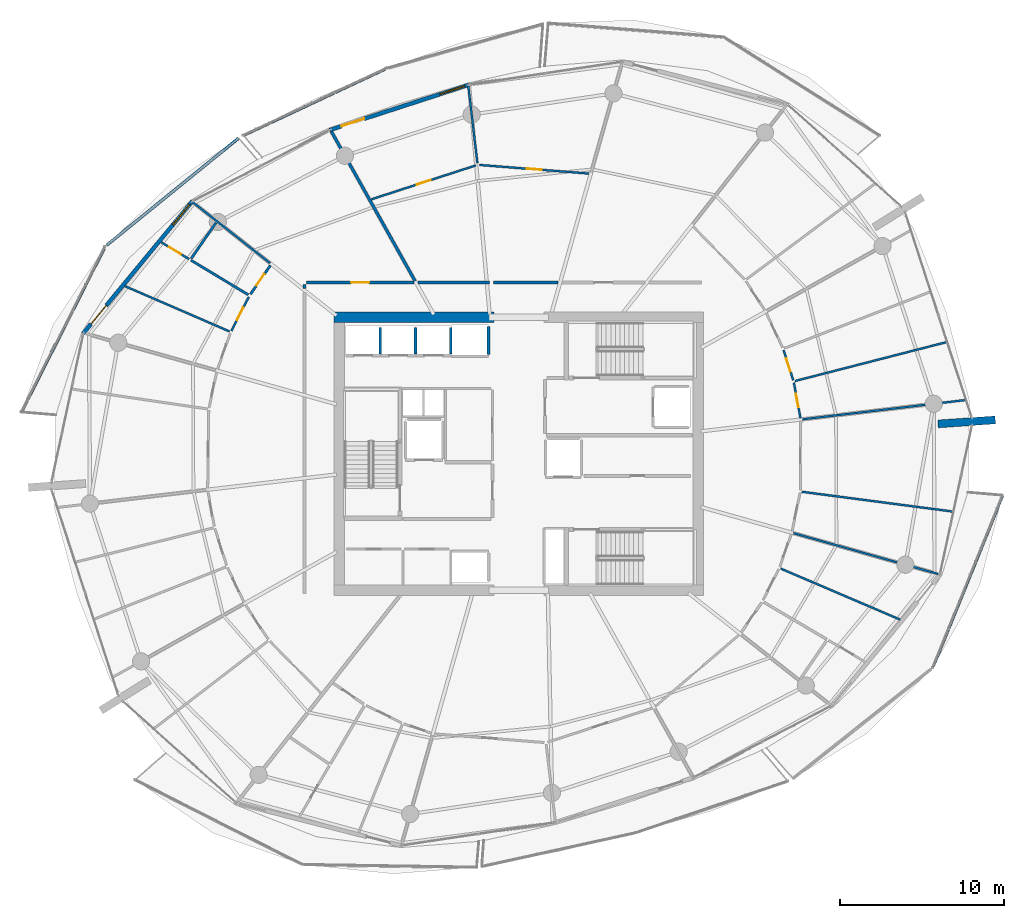
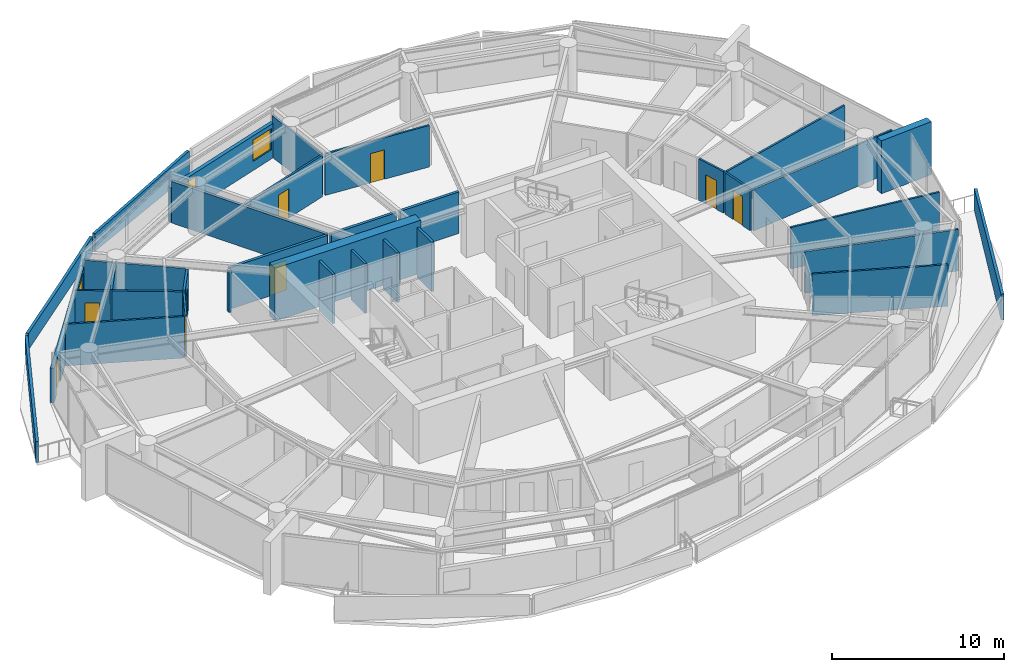
# One storey, part 14 of 20: 34 walls, 10 doors, 2 windows, 12 openings.
"""IFC4 building model written with IfcOpenShell, lengths in metres."""

from ifc_helpers import new_model, si_unit, direction, frame, frame_2d, origin, place, context, subcontext, project, spatial, polyline, rectangle, outline, extrude, material, layer, layer_set, type_object, element, fill, save


model = new_model("IFC4")

# Units and contexts
model_context = context("Model", 3, precision=1e-05, world=origin(), true_north=direction((0.0, 1.0)))
body_context = subcontext(model_context, "Body", "Model", "MODEL_VIEW")
ifc_project = project(units=[si_unit("LENGTHUNIT", "METRE"), si_unit("AREAUNIT", "SQUARE_METRE"), si_unit("VOLUMEUNIT", "CUBIC_METRE"), si_unit("PLANEANGLEUNIT", "RADIAN"), si_unit("MASSUNIT", "GRAM", prefix="KILO")], contexts=[model_context])

# Site, building, storey
site_placement = place(None, origin())
site = spatial("IfcSite", under=ifc_project, at=site_placement, CompositionType="ELEMENT")
building_placement = place(site_placement, origin())
building = spatial("IfcBuilding", under=site, at=building_placement, Name="Kazma Halo Residences", CompositionType="ELEMENT")
storey_placement = place(building_placement, frame((0.0, 0.0, 217.800048828125)))
storey = spatial("IfcBuildingStorey", under=building, at=storey_placement, Name="L55", CompositionType="ELEMENT", Elevation=217.800048828125)

# Walls
ifc_material_1 = material(Name="White Concrete C50/60 Balustrade", Category="concrete")
ifc_layer_1 = layer(ifc_material_1, 0.179931640625)
ifc_layer_set_1 = layer_set([ifc_layer_1], Name="White Concrete C50/60 Balustrade")
wall_type_1 = type_object("IfcWallType", Name="WL-BAL-WAVE-180", PredefinedType="PARAPET", material=ifc_layer_set_1)
wall_1_placement = place(storey_placement, frame((40.248291015625, 65.472412109375, 0.0), z_axis=(0.0, 0.0, 1.0), x_axis=(-0.905654672332, -0.42401605451, 0.0)))
element("IfcWall", 1, at=wall_1_placement, inside=storey, type_object=wall_type_1, Name="L55 white wave balustrade wall NNW.2", PredefinedType="PARAPET", context=body_context, shape_type="SweptSolid", body=[
    extrude(outline(polyline([(0.0, 0.0), (9.537353515625, 0.0), (9.537109375, 1.23291015625), (4.7685546875, 1.41796875), (0.0, 1.6318359375), (0.0, 0.0)])), frame((0.0, 0.08984375, 0.0), z_axis=(0.0, -1.0, 0.0), x_axis=(1.0, 0.0, 0.0)), (0.0, 0.0, 1.0), 0.179931640625),
])
wall_2_placement = place(storey_placement, frame((31.336669921875, 61.2705078125, 0.0), z_axis=(0.0, 0.0, 1.0), x_axis=(-0.776456761235, -0.630170530834, 0.0)))
element("IfcWall", 2, at=wall_2_placement, inside=storey, type_object=wall_type_1, Name="L55 white wave balustrade wall NW.1", PredefinedType="PARAPET", context=body_context, shape_type="SweptSolid", body=[
    extrude(outline(polyline([(0.0, 0.0), (10.38916015625, 0.0), (10.38916015625, 1.14794921875), (5.194580078125, 1.126953125), (0.0, 1.223876953125), (0.0, 0.0)])), frame((0.0, 0.08984375, 0.0), z_axis=(0.0, -1.0, 0.0), x_axis=(1.0, 0.0, 0.0)), (0.0, 0.0, 1.0), 0.179931640625),
])
wall_3_placement = place(storey_placement, frame((23.12255859375, 54.541015625, 0.0), z_axis=(0.0, 0.0, 1.0), x_axis=(-0.451373731974, -0.892335001042, 0.0)))
element("IfcWall", 3, at=wall_3_placement, inside=storey, type_object=wall_type_1, Name="L55 white wave balustrade wall NW.2", PredefinedType="PARAPET", context=body_context, shape_type="SweptSolid", body=[
    extrude(outline(polyline([(0.0, 0.0), (11.207763671875, 0.0), (11.20751953125, 1.48291015625), (5.603759765625, 1.283935546875), (0.0, 1.14794921875), (0.0, 0.0)])), frame((0.0, 0.08984375, 0.0), z_axis=(0.0, -1.0, 0.0), x_axis=(1.0, 0.0, 0.0)), (0.0, 0.0, 1.0), 0.179931640625),
])
wall_4_placement = place(storey_placement, frame((73.724609375, 29.02685546875, 0.0), z_axis=(0.0, 0.0, 1.0), x_axis=(0.375821400088, 0.926692114586, 0.0)))
element("IfcWall", 4, at=wall_4_placement, inside=storey, type_object=wall_type_1, Name="L55 white wave balustrade wall SE.2", PredefinedType="PARAPET", context=body_context, shape_type="SweptSolid", body=[
    extrude(outline(polyline([(0.0, 0.0), (11.256591796875, 0.0), (11.256591796875, 1.4970703125), (5.62841796875, 1.696044921875), (0.0, 1.83203125), (0.0, 0.0)])), frame((0.0, 0.08984375, 0.0), z_axis=(0.0, -1.0, 0.0), x_axis=(1.0, 0.0, 0.0)), (0.0, 0.0, 1.0), 0.179931640625),
])
ifc_material_2 = material(Name="Pale Concrete C60/75", Category="concrete")
ifc_layer_2 = layer(ifc_material_2, 0.47998046875)
ifc_layer_set_2 = layer_set([ifc_layer_2], Name="Pale Concrete C60/75")
wall_type_2 = type_object("IfcWallType", Name="WL-BLADE-480", PredefinedType="SOLIDWALL", material=ifc_layer_set_2)
wall_5_placement = place(storey_placement, frame((74.0126953125, 43.819091796875, 0.0), z_axis=(0.0, 0.0, 1.0), x_axis=(0.997568676264, 0.069690287244, 0.0)))
element("IfcWall", 5, at=wall_5_placement, inside=storey, type_object=wall_type_2, Name="L55 pale concrete structural blade fin wall BW-04", PredefinedType="SOLIDWALL", context=body_context, shape_type="SweptSolid", body=[
    extrude(rectangle(XDim=3.499755859375, YDim=0.47998046875, at=frame_2d((1.75, 0.0))), origin(), (0.0, 0.0, 1.0), 3.75),
])
ifc_material_3 = material(Name="Concrete C60/75", Category="concrete")
ifc_layer_3 = layer(ifc_material_3, 0.64990234375)
ifc_layer_set_3 = layer_set([ifc_layer_3], Name="Concrete C60/75")
wall_type_3 = type_object("IfcWallType", Name="WL-CORE-650", PredefinedType="SHEAR", material=ifc_layer_set_3)
wall_6_placement = place(storey_placement, frame((37.14990234375, 50.324951171875, 0.0), z_axis=(0.0, 0.0, 1.0), x_axis=(1.0, 0.0, 0.0)))
element("IfcWall", 6, at=wall_6_placement, inside=storey, type_object=wall_type_3, Name="L55 central core shear wall NW", PredefinedType="SHEAR", context=body_context, shape_type="SweptSolid", body=[
    extrude(rectangle(XDim=9.75, YDim=0.64990234375, at=frame_2d((4.875, 0.0))), origin(), (0.0, 0.0, 1.0), 3.75),
])
ifc_material_4 = material(Name="Acoustic Twin-Stud Gypsum")
ifc_layer_4 = layer(ifc_material_4, 0.179931640625)
ifc_layer_set_4 = layer_set([ifc_layer_4], Name="Acoustic Twin-Stud Gypsum")
wall_type_4 = type_object("IfcWallType", Name="WL-DEM-180", PredefinedType="PARTITIONING", material=ifc_layer_set_4)
wall_7_placement = place(storey_placement, frame((42.093994140625, 52.5458984375, 0.0), z_axis=(0.0, 0.0, 1.0), x_axis=(-0.488614041717, 0.872500039104, 0.0)))
element("IfcWall", 7, at=wall_7_placement, inside=storey, type_object=wall_type_4, Name="L55 apartment demising radial wall 04", PredefinedType="PARTITIONING", context=body_context, shape_type="SweptSolid", body=[
    extrude(rectangle(XDim=10.448486328125, YDim=0.179931640625, at=frame_2d((5.22412109375, 0.0))), origin(), (0.0, 0.0, 1.0), 2.93994140625),
])

# Wall, opening, door
wall_8_placement = place(storey_placement, frame((42.027587890625, 52.449951171875, 0.0), z_axis=(0.0, 0.0, 1.0), x_axis=(-1.0, 0.0, 0.0)))
wall_8 = element("IfcWall", 8, at=wall_8_placement, inside=storey, type_object=wall_type_4, Name="L55 Apartment 1 entrance corridor wall", PredefinedType="PARTITIONING", context=body_context, shape_type="SweptSolid", body=[
    extrude(rectangle(XDim=6.5576171875, YDim=0.179931640625, at=frame_2d((3.27880859375, 0.0))), origin(), (0.0, 0.0, 1.0), 2.93994140625),
])
opening_1_placement = place(wall_8_placement, frame((2.72900390625, 0.0, 0.0)))
opening_1 = element("IfcOpeningElement", 9, at=opening_1_placement, cuts=wall_8, Name="Opening DA-1100", PredefinedType="OPENING", context=body_context, shape_type="SweptSolid", body=[
    extrude(rectangle(XDim=1.10009765625, YDim=2.10009765625, at=frame_2d((0.550048828125, 1.050048828125))), frame((0.0, 0.099853515625, 0.0), z_axis=(0.0, -1.0, 0.0), x_axis=(1.0, 0.0, 0.0)), (0.0, 0.0, 1.0), 0.199951171875),
])
ifc_material_5 = material(Name="Acoustic Walnut Fire Leaf")
door_type_1 = type_object("IfcDoorType", Name="DR-FD60-1100", OperationType="NOTDEFINED", PredefinedType="DOOR", material=ifc_material_5)
door_1_placement = place(opening_1_placement, origin())
door_1 = element("IfcDoor", 10, at=door_1_placement, inside=storey, type_object=door_type_1, Name="L55 Apartment 1 entrance fire door", OperationType="SINGLE_SWING_LEFT", OverallHeight=2.10009765625, OverallWidth=1.10009765625, PredefinedType="DOOR", context=body_context, shape_type="SweptSolid", body=[
    extrude(rectangle(XDim=1.10009765625, YDim=2.10009765625, at=frame_2d((0.550048828125, 1.050048828125))), frame((0.0, 0.02490234375, 0.0), z_axis=(0.0, -1.0, 0.0), x_axis=(1.0, 0.0, 0.0)), (0.0, 0.0, 1.0), 0.050048828125),
])
fill(opening_1, door_1)

# Walls
wall_9_placement = place(storey_placement, frame((35.35009765625, 52.330078125, 0.0), z_axis=(0.0, 0.0, 1.0), x_axis=(0.0, -1.0, 0.0)))
element("IfcWall", 11, at=wall_9_placement, inside=storey, type_object=wall_type_4, Name="L55 Apartment 1 entrance corridor wall", PredefinedType="PARTITIONING", context=body_context, shape_type="SweptSolid", body=[
    extrude(rectangle(XDim=0.237548828125, YDim=0.179931640625, at=frame_2d((0.11865234375, 0.0))), origin(), (0.0, 0.0, 1.0), 2.93994140625),
])
wall_10_placement = place(storey_placement, frame((50.8271484375, 52.449951171875, 0.0), z_axis=(0.0, 0.0, 1.0), x_axis=(-1.0, 0.0, 0.0)))
element("IfcWall", 12, at=wall_10_placement, inside=storey, type_object=wall_type_4, Name="L55 Apartment 2 inner wall 2", PredefinedType="PARTITIONING", context=body_context, shape_type="SweptSolid", body=[
    extrude(rectangle(XDim=3.94384765625, YDim=0.179931640625, at=frame_2d((1.971923828125, 0.0))), origin(), (0.0, 0.0, 1.0), 2.93994140625),
])
wall_11_placement = place(storey_placement, frame((46.643310546875, 52.449951171875, 0.0), z_axis=(0.0, 0.0, 1.0), x_axis=(-1.0, 0.0, 0.0)))
element("IfcWall", 13, at=wall_11_placement, inside=storey, type_object=wall_type_4, Name="L55 Apartment 2 inner wall 3", PredefinedType="PARTITIONING", context=body_context, shape_type="SweptSolid", body=[
    extrude(rectangle(XDim=4.375732421875, YDim=0.179931640625, at=frame_2d((2.18798828125, 0.0))), origin(), (0.0, 0.0, 1.0), 2.93994140625),
])

# Wall, openings, door, window
ifc_material_6 = material(Name="Insulated Pale-Metal Composite Wall")
ifc_layer_5 = layer(ifc_material_6, 0.239990234375)
ifc_layer_set_5 = layer_set([ifc_layer_5], Name="Insulated Pale-Metal Composite Wall")
wall_type_5 = type_object("IfcWallType", Name="WL-EXT-HOST-240", PredefinedType="SOLIDWALL", material=ifc_layer_set_5)
wall_12_placement = place(storey_placement, frame((45.38427734375, 64.518798828125, 0.0), z_axis=(0.0, 0.0, 1.0), x_axis=(-0.951058543936, -0.309010753869, 0.0)))
wall_12 = element("IfcWall", 14, at=wall_12_placement, inside=storey, type_object=wall_type_5, Name="L55 exterior terrace-access wall B04", PredefinedType="SOLIDWALL", context=body_context, shape_type="SweptSolid", body=[
    extrude(rectangle(XDim=8.942138671875, YDim=0.239990234375, at=frame_2d((4.47119140625, 0.0))), origin(), (0.0, 0.0, 1.0), 2.449951171875),
])
opening_2_placement = place(wall_12_placement, frame((6.721923828125, 0.0, 0.0)))
opening_2 = element("IfcOpeningElement", 15, at=opening_2_placement, cuts=wall_12, Name="Opening DTR-1600", PredefinedType="OPENING", context=body_context, shape_type="SweptSolid", body=[
    extrude(rectangle(XDim=1.449951171875, YDim=2.14990234375, at=frame_2d((0.72509765625, 1.074951171875))), frame((0.0, 0.1298828125, 0.0), z_axis=(0.0, -1.0, 0.0), x_axis=(1.0, 0.0, 0.0)), (0.0, 0.0, 1.0), 0.260009765625),
])
opening_3_placement = place(wall_12_placement, frame((0.280029296875, 0.0, 0.64990234375)))
opening_3 = element("IfcOpeningElement", 16, at=opening_3_placement, cuts=wall_12, Name="Opening W-1800", PredefinedType="OPENING", context=body_context, shape_type="SweptSolid", body=[
    extrude(rectangle(XDim=1.60009765625, YDim=1.5, at=frame_2d((0.800048828125, 0.75))), frame((0.0, 0.1298828125, 0.0), z_axis=(0.0, -1.0, 0.0), x_axis=(1.0, 0.0, 0.0)), (0.0, 0.0, 1.0), 0.260009765625),
])
ifc_material_7 = material(Name="Aluminium AW-6063 T6 Double-Glazed Terrace Door", Category="aluminium")
door_type_2 = type_object("IfcDoorType", Name="DR-EXT-TERR-1600", OperationType="NOTDEFINED", PredefinedType="DOOR", material=ifc_material_7)
door_2_placement = place(opening_2_placement, origin())
door_2 = element("IfcDoor", 17, at=door_2_placement, inside=storey, type_object=door_type_2, Name="L55 B04 balcony terrace door", OperationType="DOUBLE_DOOR_SLIDING", OverallHeight=2.14990234375, OverallWidth=1.449951171875, PredefinedType="DOOR", context=body_context, shape_type="SweptSolid", body=[
    extrude(rectangle(XDim=1.449951171875, YDim=2.14990234375, at=frame_2d((0.72509765625, 1.074951171875))), frame((0.0, 0.02490234375, 0.0), z_axis=(0.0, -1.0, 0.0), x_axis=(1.0, 0.0, 0.0)), (0.0, 0.0, 1.0), 0.050048828125),
])
fill(opening_2, door_2)
ifc_material_8 = material(Name="Clear Triple-Silver Low-E Glass in Aluminium AW-6063 T6 Frame", Category="aluminium")
window_type = type_object("IfcWindowType", Name="WIN-RES-1800", PartitioningType="DOUBLE_PANEL_VERTICAL", PredefinedType="WINDOW", material=ifc_material_8)
window_1_placement = place(opening_3_placement, origin())
window_1 = element("IfcWindow", 18, at=window_1_placement, inside=storey, type_object=window_type, Name="L55 B04 apartment window", OverallHeight=1.5, OverallWidth=1.60009765625, PartitioningType="SINGLE_PANEL", PredefinedType="WINDOW", context=body_context, shape_type="SweptSolid", body=[
    extrude(rectangle(XDim=1.60009765625, YDim=1.5, at=frame_2d((0.800048828125, 0.75))), frame((0.0, 0.030029296875, 0.0), z_axis=(0.0, -1.0, 0.0), x_axis=(1.0, 0.0, 0.0)), (0.0, 0.0, 1.0), 0.06005859375),
])
fill(opening_3, window_1)

wall_13_placement = place(storey_placement, frame((28.514892578125, 57.42431640625, 0.0), z_axis=(0.0, 0.0, 1.0), x_axis=(-0.636759394418, -0.771062561418, 0.0)))
wall_13 = element("IfcWall", 19, at=wall_13_placement, inside=storey, type_object=wall_type_5, Name="L55 exterior terrace-access wall B06", PredefinedType="SOLIDWALL", context=body_context, shape_type="SweptSolid", body=[
    extrude(rectangle(XDim=10.494384765625, YDim=0.239990234375, at=frame_2d((5.2470703125, 0.0))), origin(), (0.0, 0.0, 1.0), 2.449951171875),
])
opening_4_placement = place(wall_13_placement, frame((8.2744140625, 0.0, 0.0)))
opening_4 = element("IfcOpeningElement", 20, at=opening_4_placement, cuts=wall_13, Name="Opening DTR-1600", PredefinedType="OPENING", context=body_context, shape_type="SweptSolid", body=[
    extrude(rectangle(XDim=1.449951171875, YDim=2.14990234375, at=frame_2d((0.72509765625, 1.074951171875))), frame((0.0, 0.1298828125, 0.0), z_axis=(0.0, -1.0, 0.0), x_axis=(1.0, 0.0, 0.0)), (0.0, 0.0, 1.0), 0.260009765625),
])
opening_5_placement = place(wall_13_placement, frame((0.280029296875, 0.0, 0.64990234375)))
opening_5 = element("IfcOpeningElement", 21, at=opening_5_placement, cuts=wall_13, Name="Opening W-1800", PredefinedType="OPENING", context=body_context, shape_type="SweptSolid", body=[
    extrude(rectangle(XDim=1.60009765625, YDim=1.5, at=frame_2d((0.800048828125, 0.75))), frame((0.0, 0.1298828125, 0.0), z_axis=(0.0, -1.0, 0.0), x_axis=(1.0, 0.0, 0.0)), (0.0, 0.0, 1.0), 0.260009765625),
])
door_3_placement = place(opening_4_placement, origin())
door_3 = element("IfcDoor", 22, at=door_3_placement, inside=storey, type_object=door_type_2, Name="L55 B06 balcony terrace door", OperationType="DOUBLE_DOOR_SLIDING", OverallHeight=2.14990234375, OverallWidth=1.449951171875, PredefinedType="DOOR", context=body_context, shape_type="SweptSolid", body=[
    extrude(rectangle(XDim=1.449951171875, YDim=2.14990234375, at=frame_2d((0.72509765625, 1.074951171875))), frame((0.0, 0.02490234375, 0.0), z_axis=(0.0, -1.0, 0.0), x_axis=(1.0, 0.0, 0.0)), (0.0, 0.0, 1.0), 0.050048828125),
])
fill(opening_4, door_3)
window_2_placement = place(opening_5_placement, origin())
window_2 = element("IfcWindow", 23, at=window_2_placement, inside=storey, type_object=window_type, Name="L55 B06 apartment window", OverallHeight=1.5, OverallWidth=1.60009765625, PartitioningType="SINGLE_PANEL", PredefinedType="WINDOW", context=body_context, shape_type="SweptSolid", body=[
    extrude(rectangle(XDim=1.60009765625, YDim=1.5, at=frame_2d((0.800048828125, 0.75))), frame((0.0, 0.030029296875, 0.0), z_axis=(0.0, -1.0, 0.0), x_axis=(1.0, 0.0, 0.0)), (0.0, 0.0, 1.0), 0.06005859375),
])
fill(opening_5, window_2)

# Walls
ifc_material_9 = material(Name="Fire-Rated Blockwork Masonry", Category="masonry")
ifc_layer_6 = layer(ifc_material_9, 0.199951171875)
ifc_layer_set_6 = layer_set([ifc_layer_6], Name="Fire-Rated Blockwork Masonry")
wall_type_6 = type_object("IfcWallType", Name="WL-FLB-200", PredefinedType="PARTITIONING", material=ifc_layer_set_6)
for number, where, z_axis, x_axis, name in (
    (24, (39.97509765625, 48.094970703125, 0.0), (0.0, 0.0, 1.0), (0.0, 1.0, 0.0), "L55 lift shaft PM-01 side wall E"),
    (25, (42.125, 48.094970703125, 0.0), (0.0, 0.0, 1.0), (0.0, 1.0, 0.0), "L55 lift shaft PM-02 side wall E"),
    (26, (44.27490234375, 48.094970703125, 0.0), (0.0, 0.0, 1.0), (0.0, 1.0, 0.0), "L55 lift shaft PM-03 side wall E"),
):
    element("IfcWall", number, at=place(storey_placement, frame(where, z_axis=z_axis, x_axis=x_axis)), inside=storey, type_object=wall_type_6, Name=name, PredefinedType="PARTITIONING", context=body_context, shape_type="SweptSolid", body=[
        extrude(rectangle(XDim=1.610107421875, YDim=0.159912109375, at=frame_2d((0.80517578125, 0.0))), origin(), (0.0, 0.0, 1.0), 3.5),
    ])
wall_14_placement = place(storey_placement, frame((46.580078125, 48.044921875, 0.0), z_axis=(0.0, 0.0, 1.0), x_axis=(0.0, 1.0, 0.0)))
element("IfcWall", 27, at=wall_14_placement, inside=storey, type_object=wall_type_6, Name="L55 lift shaft PX-01 side wall E", PredefinedType="PARTITIONING", context=body_context, shape_type="SweptSolid", body=[
    extrude(rectangle(XDim=1.7099609375, YDim=0.159912109375, at=frame_2d((0.85498046875, 0.0))), origin(), (0.0, 0.0, 1.0), 3.5),
])
ifc_material_10 = material(Name="Gypsum Plasterboard Partition")
ifc_layer_7 = layer(ifc_material_10, 0.125)
ifc_layer_set_7 = layer_set([ifc_layer_7], Name="Gypsum Plasterboard Partition")
wall_type_7 = type_object("IfcWallType", Name="WL-PART-125", PredefinedType="PARTITIONING", material=ifc_layer_set_7)
wall_15_placement = place(storey_placement, frame((33.24072265625, 53.63525390625, 0.0), z_axis=(0.0, 0.0, 1.0), x_axis=(-0.785321754625, 0.619087830371, 0.0)))
element("IfcWall", 28, at=wall_15_placement, inside=storey, type_object=wall_type_7, Name="L55 Apartment 1 radial partition 5", PredefinedType="PARTITIONING", context=body_context, shape_type="SweptSolid", body=[
    extrude(rectangle(XDim=6.033203125, YDim=0.125, at=frame_2d((3.0166015625, 0.0))), origin(), (0.0, 0.0, 1.0), 2.93994140625),
])

# Wall, opening, door
wall_16_placement = place(storey_placement, frame((28.301513671875, 53.880615234375, 0.0), z_axis=(0.0, 0.0, 1.0), x_axis=(-0.856354175531, 0.516388929056, 0.0)))
wall_16 = element("IfcWall", 29, at=wall_16_placement, inside=storey, type_object=wall_type_7, Name="L55 Apartment 1 Utility Laundry Room partition wall", PredefinedType="PARTITIONING", context=body_context, shape_type="SweptSolid", body=[
    extrude(rectangle(XDim=1.989990234375, YDim=0.125, at=frame_2d((0.9951171875, 0.0))), origin(), (0.0, 0.0, 1.0), 2.93994140625),
])
opening_6_placement = place(wall_16_placement, frame((0.56982421875, 0.0, 0.0)))
opening_6 = element("IfcOpeningElement", 30, at=opening_6_placement, cuts=wall_16, Name="Opening DB-900", PredefinedType="OPENING", context=body_context, shape_type="SweptSolid", body=[
    extrude(rectangle(XDim=0.85009765625, YDim=2.06005859375, at=frame_2d((0.425048828125, 1.030029296875))), frame((0.0, 0.072509765625, 0.0), z_axis=(0.0, -1.0, 0.0), x_axis=(1.0, 0.0, 0.0)), (0.0, 0.0, 1.0), 0.14501953125),
])
ifc_material_11 = material(Name="Moisture-Sealed Timber Leaf", Category="wood")
door_type_3 = type_object("IfcDoorType", Name="DR-BTH-900", OperationType="NOTDEFINED", PredefinedType="DOOR", material=ifc_material_11)
door_4_placement = place(opening_6_placement, origin())
door_4 = element("IfcDoor", 31, at=door_4_placement, inside=storey, type_object=door_type_3, Name="L55 Apartment 1 Utility Laundry Room door", OperationType="SINGLE_SWING_RIGHT", OverallHeight=2.06005859375, OverallWidth=0.85009765625, PredefinedType="DOOR", context=body_context, shape_type="SweptSolid", body=[
    extrude(rectangle(XDim=0.85009765625, YDim=2.06005859375, at=frame_2d((0.425048828125, 1.030029296875))), frame((0.0, 0.02490234375, 0.0), z_axis=(0.0, -1.0, 0.0), x_axis=(1.0, 0.0, 0.0)), (0.0, 0.0, 1.0), 0.050048828125),
])
fill(opening_6, door_4)

# Wall
wall_17_placement = place(storey_placement, frame((30.763916015625, 49.466796875, 0.0), z_axis=(0.0, 0.0, 1.0), x_axis=(-0.917605566125, 0.397492169755, 0.0)))
element("IfcWall", 32, at=wall_17_placement, inside=storey, type_object=wall_type_7, Name="L55 Apartment 1 suite divider 5", PredefinedType="PARTITIONING", context=body_context, shape_type="SweptSolid", body=[
    extrude(rectangle(XDim=6.95458984375, YDim=0.125, at=frame_2d((3.477294921875, 0.0))), origin(), (0.0, 0.0, 1.0), 2.93994140625),
])

# Wall, opening, door
wall_18_placement = place(storey_placement, frame((31.950927734375, 51.57470703125, 0.0), z_axis=(0.0, 0.0, 1.0), x_axis=(-0.458029312051, -0.88893708962, 0.0)))
wall_18 = element("IfcWall", 33, at=wall_18_placement, inside=storey, type_object=wall_type_7, Name="L55 Apartment 1 Gourmet Kitchen hall wall", PredefinedType="PARTITIONING", context=body_context, shape_type="SweptSolid", body=[
    extrude(rectangle(XDim=2.33154296875, YDim=0.125, at=frame_2d((1.165771484375, 0.0))), origin(), (0.0, 0.0, 1.0), 2.93994140625),
])
opening_7_placement = place(wall_18_placement, frame((0.74072265625, 0.0, 0.0)))
opening_7 = element("IfcOpeningElement", 34, at=opening_7_placement, cuts=wall_18, Name="Opening DB-900", PredefinedType="OPENING", context=body_context, shape_type="SweptSolid", body=[
    extrude(rectangle(XDim=0.85009765625, YDim=2.06005859375, at=frame_2d((0.425048828125, 1.030029296875))), frame((0.0, 0.072509765625, 0.0), z_axis=(0.0, -1.0, 0.0), x_axis=(1.0, 0.0, 0.0)), (0.0, 0.0, 1.0), 0.14501953125),
])
door_5_placement = place(opening_7_placement, origin())
door_5 = element("IfcDoor", 35, at=door_5_placement, inside=storey, type_object=door_type_3, Name="L55 Apartment 1 Gourmet Kitchen door", OperationType="SINGLE_SWING_LEFT", OverallHeight=2.06005859375, OverallWidth=0.85009765625, PredefinedType="DOOR", context=body_context, shape_type="SweptSolid", body=[
    extrude(rectangle(XDim=0.85009765625, YDim=2.06005859375, at=frame_2d((0.425048828125, 1.030029296875))), frame((0.0, 0.02490234375, 0.0), z_axis=(0.0, -1.0, 0.0), x_axis=(1.0, 0.0, 0.0)), (0.0, 0.0, 1.0), 0.050048828125),
])
fill(opening_7, door_5)

# Walls
wall_19_placement = place(storey_placement, frame((64.412353515625, 34.9892578125, 0.0), z_axis=(0.0, 0.0, 1.0), x_axis=(0.919622074899, -0.392804327061, 0.0)))
element("IfcWall", 36, at=wall_19_placement, inside=storey, type_object=wall_type_7, Name="L55 Apartment 2 suite divider 13", PredefinedType="PARTITIONING", context=body_context, shape_type="SweptSolid", body=[
    extrude(rectangle(XDim=7.93017578125, YDim=0.125, at=frame_2d((3.965087890625, 0.0))), origin(), (0.0, 0.0, 1.0), 2.93994140625),
])
wall_20_placement = place(storey_placement, frame((65.1865234375, 37.15283203125, 0.0), z_axis=(0.0, 0.0, 1.0), x_axis=(0.962455381168, -0.271439936746, 0.0)))
element("IfcWall", 37, at=wall_20_placement, inside=storey, type_object=wall_type_7, Name="L55 Apartment 2 radial partition 14", PredefinedType="PARTITIONING", context=body_context, shape_type="SweptSolid", body=[
    extrude(rectangle(XDim=9.17333984375, YDim=0.125, at=frame_2d((4.586669921875, 0.0))), origin(), (0.0, 0.0, 1.0), 2.93994140625),
])
wall_21_placement = place(storey_placement, frame((65.695556640625, 39.6796875, 0.0), z_axis=(0.0, 0.0, 1.0), x_axis=(0.991514569792, -0.129995607197, 0.0)))
element("IfcWall", 38, at=wall_21_placement, inside=storey, type_object=wall_type_7, Name="L55 Apartment 2 mid-bay wall 14", PredefinedType="PARTITIONING", context=body_context, shape_type="SweptSolid", body=[
    extrude(rectangle(XDim=9.317138671875, YDim=0.125, at=frame_2d((4.65869140625, 0.0))), origin(), (0.0, 0.0, 1.0), 2.93994140625),
])
wall_22_placement = place(storey_placement, frame((65.733154296875, 44.098876953125, 0.0), z_axis=(0.0, 0.0, 1.0), x_axis=(0.993067848517, 0.117542538007, 0.0)))
element("IfcWall", 39, at=wall_22_placement, inside=storey, type_object=wall_type_7, Name="L55 Apartment 2 radial partition 15", PredefinedType="PARTITIONING", context=body_context, shape_type="SweptSolid", body=[
    extrude(rectangle(XDim=10.038330078125, YDim=0.125, at=frame_2d((5.01904296875, 0.0))), origin(), (0.0, 0.0, 1.0), 2.93994140625),
])
wall_23_placement = place(storey_placement, frame((65.286376953125, 46.4384765625, 0.0), z_axis=(0.0, 0.0, 1.0), x_axis=(0.968582570174, 0.248692188769, 0.0)))
element("IfcWall", 40, at=wall_23_placement, inside=storey, type_object=wall_type_7, Name="L55 Apartment 2 bay wall 1 15", PredefinedType="PARTITIONING", context=body_context, shape_type="SweptSolid", body=[
    extrude(rectangle(XDim=9.565673828125, YDim=0.125, at=frame_2d((4.78271484375, 0.0))), origin(), (0.0, 0.0, 1.0), 2.93994140625),
])

# Wall, opening, door
wall_24_placement = place(storey_placement, frame((65.619140625, 44.165771484375, 0.0), z_axis=(0.0, 0.0, 1.0), x_axis=(-0.183454395516, 0.983028221755, 0.0)))
wall_24 = element("IfcWall", 41, at=wall_24_placement, inside=storey, type_object=wall_type_7, Name="L55 Apartment 2 Gulf Bedroom hall wall", PredefinedType="PARTITIONING", context=body_context, shape_type="SweptSolid", body=[
    extrude(rectangle(XDim=2.209228515625, YDim=0.125, at=frame_2d((1.1044921875, 0.0))), origin(), (0.0, 0.0, 1.0), 2.93994140625),
])
opening_8_placement = place(wall_24_placement, frame((0.6796875, 0.0, 0.0)))
opening_8 = element("IfcOpeningElement", 42, at=opening_8_placement, cuts=wall_24, Name="Opening DB-900", PredefinedType="OPENING", context=body_context, shape_type="SweptSolid", body=[
    extrude(rectangle(XDim=0.85009765625, YDim=2.06005859375, at=frame_2d((0.425048828125, 1.030029296875))), frame((0.0, 0.072509765625, 0.0), z_axis=(0.0, -1.0, 0.0), x_axis=(1.0, 0.0, 0.0)), (0.0, 0.0, 1.0), 0.14501953125),
])
door_6_placement = place(opening_8_placement, origin())
door_6 = element("IfcDoor", 43, at=door_6_placement, inside=storey, type_object=door_type_3, Name="L55 Apartment 2 Gulf Bedroom door", OperationType="SINGLE_SWING_RIGHT", OverallHeight=2.06005859375, OverallWidth=0.85009765625, PredefinedType="DOOR", context=body_context, shape_type="SweptSolid", body=[
    extrude(rectangle(XDim=0.85009765625, YDim=2.06005859375, at=frame_2d((0.425048828125, 1.030029296875))), frame((0.0, 0.02490234375, 0.0), z_axis=(0.0, -1.0, 0.0), x_axis=(1.0, 0.0, 0.0)), (0.0, 0.0, 1.0), 0.050048828125),
])
fill(opening_8, door_6)

wall_25_placement = place(storey_placement, frame((65.1748046875, 46.4921875, 0.0), z_axis=(0.0, 0.0, 1.0), x_axis=(-0.305358332679, 0.952237516938, 0.0)))
wall_25 = element("IfcWall", 44, at=wall_25_placement, inside=storey, type_object=wall_type_7, Name="L55 Apartment 2 Primary Dressing Wardrobe hall wall", PredefinedType="PARTITIONING", context=body_context, shape_type="SweptSolid", body=[
    extrude(rectangle(XDim=1.930908203125, YDim=0.125, at=frame_2d((0.96533203125, 0.0))), origin(), (0.0, 0.0, 1.0), 2.93994140625),
])
opening_9_placement = place(wall_25_placement, frame((0.540283203125, 0.0, 0.0)))
opening_9 = element("IfcOpeningElement", 45, at=opening_9_placement, cuts=wall_25, Name="Opening DB-900", PredefinedType="OPENING", context=body_context, shape_type="SweptSolid", body=[
    extrude(rectangle(XDim=0.85009765625, YDim=2.06005859375, at=frame_2d((0.425048828125, 1.030029296875))), frame((0.0, 0.072509765625, 0.0), z_axis=(0.0, -1.0, 0.0), x_axis=(1.0, 0.0, 0.0)), (0.0, 0.0, 1.0), 0.14501953125),
])
door_7_placement = place(opening_9_placement, origin())
door_7 = element("IfcDoor", 46, at=door_7_placement, inside=storey, type_object=door_type_3, Name="L55 Apartment 2 Primary Dressing Wardrobe door", OperationType="SINGLE_SWING_LEFT", OverallHeight=2.06005859375, OverallWidth=0.85009765625, PredefinedType="DOOR", context=body_context, shape_type="SweptSolid", body=[
    extrude(rectangle(XDim=0.85009765625, YDim=2.06005859375, at=frame_2d((0.425048828125, 1.030029296875))), frame((0.0, 0.02490234375, 0.0), z_axis=(0.0, -1.0, 0.0), x_axis=(1.0, 0.0, 0.0)), (0.0, 0.0, 1.0), 0.050048828125),
])
fill(opening_9, door_7)

wall_26_placement = place(storey_placement, frame((52.710205078125, 59.098876953125, 0.0), z_axis=(0.0, 0.0, 1.0), x_axis=(-0.996916756268, 0.078466432773, 0.0)))
wall_26 = element("IfcWall", 47, at=wall_26_placement, inside=storey, type_object=wall_type_7, Name="L55 Apartment 2 North Master Bedroom gallery wall", PredefinedType="PARTITIONING", context=body_context, shape_type="SweptSolid", body=[
    extrude(rectangle(XDim=6.708251953125, YDim=0.125, at=frame_2d((3.35400390625, 0.0))), origin(), (0.0, 0.0, 1.0), 2.93994140625),
])
opening_10_placement = place(wall_26_placement, frame((2.904296875, 0.0, 0.0)))
opening_10 = element("IfcOpeningElement", 48, at=opening_10_placement, cuts=wall_26, Name="Opening DI-950", PredefinedType="OPENING", context=body_context, shape_type="SweptSolid", body=[
    extrude(rectangle(XDim=0.89990234375, YDim=2.080078125, at=frame_2d((0.449951171875, 1.0400390625))), frame((0.0, 0.072509765625, 0.0), z_axis=(0.0, -1.0, 0.0), x_axis=(1.0, 0.0, 0.0)), (0.0, 0.0, 1.0), 0.14501953125),
])
ifc_material_12 = material(Name="Timber Veneer Flush Leaf", Category="wood")
door_type_4 = type_object("IfcDoorType", Name="DR-INT-950", OperationType="NOTDEFINED", PredefinedType="DOOR", material=ifc_material_12)
door_8_placement = place(opening_10_placement, origin())
door_8 = element("IfcDoor", 49, at=door_8_placement, inside=storey, type_object=door_type_4, Name="L55 Apartment 2 North Master Bedroom door", OperationType="SINGLE_SWING_RIGHT", OverallHeight=2.080078125, OverallWidth=0.89990234375, PredefinedType="DOOR", context=body_context, shape_type="SweptSolid", body=[
    extrude(rectangle(XDim=0.89990234375, YDim=2.080078125, at=frame_2d((0.449951171875, 1.0400390625))), frame((0.0, 0.02490234375, 0.0), z_axis=(0.0, -1.0, 0.0), x_axis=(1.0, 0.0, 0.0)), (0.0, 0.0, 1.0), 0.050048828125),
])
fill(opening_10, door_8)

# Wall
wall_27_placement = place(storey_placement, frame((45.901123046875, 59.733154296875, 0.0), z_axis=(0.0, 0.0, 1.0), x_axis=(-0.117511168915, 0.993071560956, 0.0)))
element("IfcWall", 50, at=wall_27_placement, inside=storey, type_object=wall_type_7, Name="L55 Apartment 2 radial partition 3", PredefinedType="PARTITIONING", context=body_context, shape_type="SweptSolid", body=[
    extrude(rectangle(XDim=4.778564453125, YDim=0.125, at=frame_2d((2.38916015625, 0.0))), origin(), (0.0, 0.0, 1.0), 2.93994140625),
])

# Wall, opening, door
wall_28_placement = place(storey_placement, frame((45.808349609375, 59.599853515625, 0.0), z_axis=(0.0, 0.0, 1.0), x_axis=(-0.951057868445, -0.309012832854, 0.0)))
wall_28 = element("IfcWall", 51, at=wall_28_placement, inside=storey, type_object=wall_type_7, Name="L55 Apartment 2 South Formal Dining Room gallery wall", PredefinedType="PARTITIONING", context=body_context, shape_type="SweptSolid", body=[
    extrude(rectangle(XDim=6.70849609375, YDim=0.125, at=frame_2d((3.354248046875, 0.0))), origin(), (0.0, 0.0, 1.0), 2.93994140625),
])
opening_11_placement = place(wall_28_placement, frame((2.904296875, 0.0, 0.0)))
opening_11 = element("IfcOpeningElement", 52, at=opening_11_placement, cuts=wall_28, Name="Opening DI-950", PredefinedType="OPENING", context=body_context, shape_type="SweptSolid", body=[
    extrude(rectangle(XDim=0.89990234375, YDim=2.080078125, at=frame_2d((0.449951171875, 1.0400390625))), frame((0.0, 0.072509765625, 0.0), z_axis=(0.0, -1.0, 0.0), x_axis=(1.0, 0.0, 0.0)), (0.0, 0.0, 1.0), 0.14501953125),
])
door_9_placement = place(opening_11_placement, origin())
door_9 = element("IfcDoor", 53, at=door_9_placement, inside=storey, type_object=door_type_4, Name="L55 Apartment 2 South Formal Dining Room door", OperationType="SINGLE_SWING_LEFT", OverallHeight=2.080078125, OverallWidth=0.89990234375, PredefinedType="DOOR", context=body_context, shape_type="SweptSolid", body=[
    extrude(rectangle(XDim=0.89990234375, YDim=2.080078125, at=frame_2d((0.449951171875, 1.0400390625))), frame((0.0, 0.02490234375, 0.0), z_axis=(0.0, -1.0, 0.0), x_axis=(1.0, 0.0, 0.0)), (0.0, 0.0, 1.0), 0.050048828125),
])
fill(opening_11, door_9)

ifc_material_13 = material(Name="Moisture-Resistant Gypsum")
ifc_layer_8 = layer(ifc_material_13, 0.14990234375)
ifc_layer_set_8 = layer_set([ifc_layer_8], Name="Moisture-Resistant Gypsum")
wall_type_8 = type_object("IfcWallType", Name="WL-WET-150", PredefinedType="PARTITIONING", material=ifc_layer_set_8)
wall_29_placement = place(storey_placement, frame((33.262451171875, 53.4912109375, 0.0), z_axis=(0.0, 0.0, 1.0), x_axis=(-0.568919673568, -0.822393096413, 0.0)))
wall_29 = element("IfcWall", 54, at=wall_29_placement, inside=storey, type_object=wall_type_8, Name="L55 Apartment 1 Guest Bathroom hall wall", PredefinedType="PARTITIONING", context=body_context, shape_type="SweptSolid", body=[
    extrude(rectangle(XDim=2.14306640625, YDim=0.14990234375, at=frame_2d((1.071533203125, 0.0))), origin(), (0.0, 0.0, 1.0), 2.93994140625),
])
opening_12_placement = place(wall_29_placement, frame((0.646484375, 0.0, 0.0)))
opening_12 = element("IfcOpeningElement", 55, at=opening_12_placement, cuts=wall_29, Name="Opening DB-900", PredefinedType="OPENING", context=body_context, shape_type="SweptSolid", body=[
    extrude(rectangle(XDim=0.85009765625, YDim=2.06005859375, at=frame_2d((0.425048828125, 1.030029296875))), frame((0.0, 0.0849609375, 0.0), z_axis=(0.0, -1.0, 0.0), x_axis=(1.0, 0.0, 0.0)), (0.0, 0.0, 1.0), 0.169921875),
])
door_10_placement = place(opening_12_placement, origin())
door_10 = element("IfcDoor", 56, at=door_10_placement, inside=storey, type_object=door_type_3, Name="L55 Apartment 1 Guest Bathroom door", OperationType="SINGLE_SWING_LEFT", OverallHeight=2.06005859375, OverallWidth=0.85009765625, PredefinedType="DOOR", context=body_context, shape_type="SweptSolid", body=[
    extrude(rectangle(XDim=0.85009765625, YDim=2.06005859375, at=frame_2d((0.425048828125, 1.030029296875))), frame((0.0, 0.02490234375, 0.0), z_axis=(0.0, -1.0, 0.0), x_axis=(1.0, 0.0, 0.0)), (0.0, 0.0, 1.0), 0.050048828125),
])
fill(opening_12, door_10)

# Walls
wall_30_placement = place(storey_placement, frame((29.9482421875, 56.103759765625, 0.0), z_axis=(0.0, 0.0, 1.0), x_axis=(-0.568843740651, -0.822445620526, 0.0)))
element("IfcWall", 57, at=wall_30_placement, inside=storey, type_object=wall_type_8, Name="L55 Apartment 1 Guest Bathroom back wall", PredefinedType="PARTITIONING", context=body_context, shape_type="SweptSolid", body=[
    extrude(rectangle(XDim=2.66943359375, YDim=0.14990234375, at=frame_2d((1.334716796875, 0.0))), origin(), (0.0, 0.0, 1.0), 2.93994140625),
])
wall_31_placement = place(storey_placement, frame((31.9150390625, 51.701171875, 0.0), z_axis=(0.0, 0.0, 1.0), x_axis=(-0.856305556185, 0.516469548422, 0.0)))
element("IfcWall", 58, at=wall_31_placement, inside=storey, type_object=wall_type_8, Name="L55 Apartment 1 Guest Bathroom side wall", PredefinedType="PARTITIONING", context=body_context, shape_type="SweptSolid", body=[
    extrude(rectangle(XDim=4.08984375, YDim=0.14990234375, at=frame_2d((2.044921875, 0.0))), origin(), (0.0, 0.0, 1.0), 2.93994140625),
])

save(model, "model.ifc")
